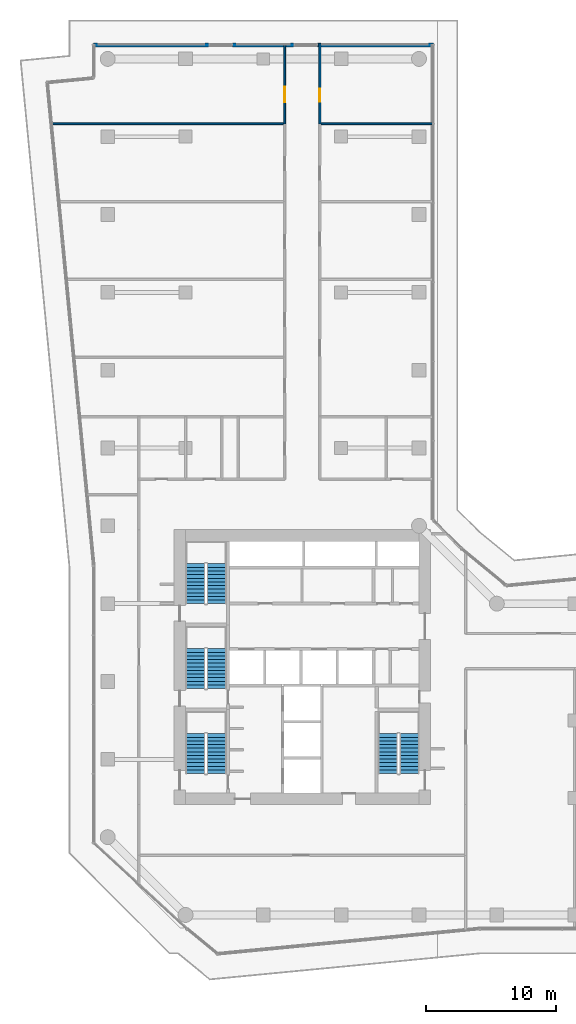
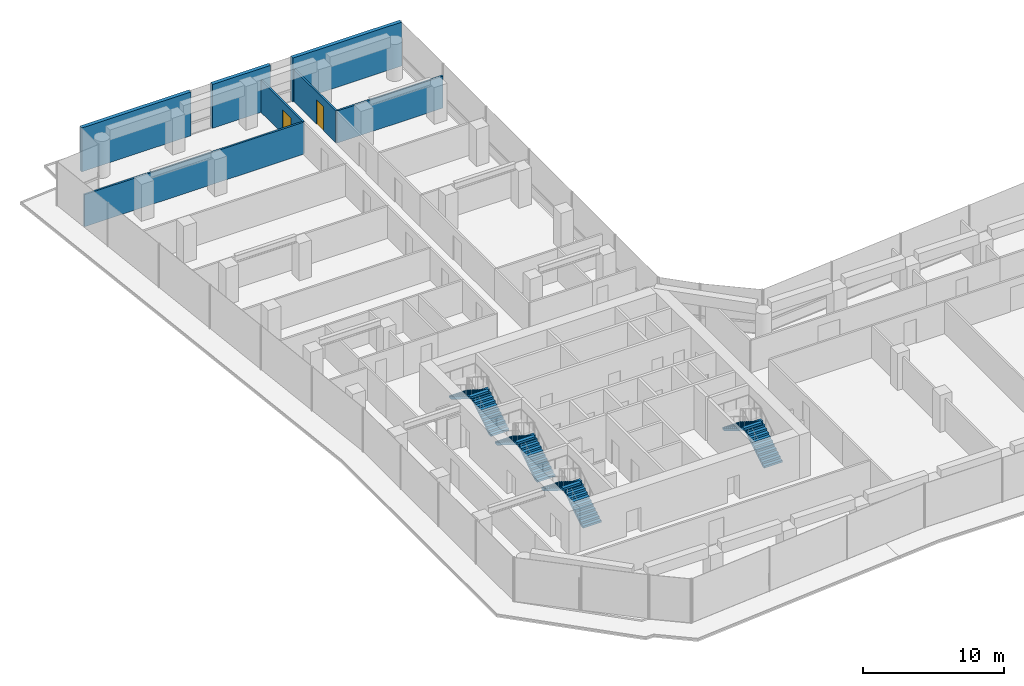
# One storey, part 28 of 30: 8 stair flights, 7 walls, 2 doors, 2 openings, 4 elements without a shape of their own.
"""IFC4 building model written with IfcOpenShell, lengths in metres."""

from ifc_helpers import new_model, si_unit, direction, frame, frame_2d, origin, place, context, subcontext, project, spatial, polyline, rectangle, outline, extrude, material, layer, layer_set, type_object, element, fill, aggregate, save


model = new_model("IFC4")

# Units and contexts
model_context = context("Model", 3, precision=1e-05, world=origin(), true_north=direction((0.0, 1.0)))
body_context = subcontext(model_context, "Body", "Model", "MODEL_VIEW")
ifc_project = project(units=[si_unit("LENGTHUNIT", "METRE"), si_unit("AREAUNIT", "SQUARE_METRE"), si_unit("VOLUMEUNIT", "CUBIC_METRE"), si_unit("PLANEANGLEUNIT", "RADIAN"), si_unit("MASSUNIT", "GRAM", prefix="KILO")], contexts=[model_context])

# Site, building, storey
site_placement = place(None, origin())
site = spatial("IfcSite", under=ifc_project, at=site_placement, CompositionType="ELEMENT")
building_placement = place(site_placement, origin())
building = spatial("IfcBuilding", under=site, at=building_placement, Name="Welwitschia Terrace Campus", CompositionType="ELEMENT")
storey_placement = place(building_placement, frame((0.0, 0.0, 75.199951171875)))
storey = spatial("IfcBuildingStorey", under=building, at=storey_placement, Name="L17", CompositionType="ELEMENT", Elevation=75.199951171875)

# Wall
ifc_material_1 = material(Name="Gypsum board on steel studs", Category="steel")
ifc_layer_1 = layer(ifc_material_1, 0.14990234375)
ifc_layer_set_1 = layer_set([ifc_layer_1], Name="Gypsum board on steel studs")
wall_type_1 = type_object("IfcWallType", Name="Corridor partition 150 EI 30", PredefinedType="PARTITIONING", material=ifc_layer_set_1)
wall_1_placement = place(storey_placement, frame((-4.35009765625, 57.0, 0.0), z_axis=(0.0, 0.0, 1.0), x_axis=(1.0, 0.0, 0.0)))
element("IfcWall", 1, at=wall_1_placement, inside=storey, type_object=wall_type_1, Name="Partition", PredefinedType="PARTITIONING", context=body_context, shape_type="SweptSolid", body=[
    extrude(rectangle(XDim=18.0, YDim=0.14990234375, at=frame_2d((9.0, 0.0))), origin(), (0.0, 0.0, 1.0), 2.780029296875),
])

# Wall, opening, door
wall_2_placement = place(storey_placement, frame((13.64990234375, 57.0, 0.0), z_axis=(0.0, 0.0, 1.0), x_axis=(0.0, 1.0, 0.0)))
wall_2 = element("IfcWall", 2, at=wall_2_placement, inside=storey, type_object=wall_type_1, Name="Partition", PredefinedType="PARTITIONING", context=body_context, shape_type="SweptSolid", body=[
    extrude(rectangle(XDim=6.174072265625, YDim=0.14990234375, at=frame_2d((3.0869140625, 0.0))), origin(), (0.0, 0.0, 1.0), 2.780029296875),
])
opening_1_placement = place(wall_2_placement, frame((1.659912109375, 0.0, 0.0)))
opening_1 = element("IfcOpeningElement", 3, at=opening_1_placement, cuts=wall_2, Name="Opening DI12", PredefinedType="OPENING", context=body_context, shape_type="SweptSolid", body=[
    extrude(rectangle(XDim=1.199951171875, YDim=2.10009765625, at=frame_2d((0.60009765625, 1.050048828125))), frame((0.0, 0.0849609375, 0.0), z_axis=(0.0, -1.0, 0.0), x_axis=(1.0, 0.0, 0.0)), (0.0, 0.0, 1.0), 0.169921875),
])
ifc_material_2 = material(Name="Timber veneered door", Category="wood")
door_type_1 = type_object("IfcDoorType", Name="Interior door DI12", OperationType="NOTDEFINED", PredefinedType="DOOR", material=ifc_material_2)
door_1_placement = place(opening_1_placement, origin())
door_1 = element("IfcDoor", 4, at=door_1_placement, inside=storey, type_object=door_type_1, Name="Door L17 392", OperationType="SINGLE_SWING_LEFT", OverallHeight=2.10009765625, OverallWidth=1.199951171875, PredefinedType="DOOR", context=body_context, shape_type="SweptSolid", body=[
    extrude(rectangle(XDim=1.199951171875, YDim=2.10009765625, at=frame_2d((0.60009765625, 1.050048828125))), frame((0.0, 0.02490234375, 0.0), z_axis=(0.0, -1.0, 0.0), x_axis=(1.0, 0.0, 0.0)), (0.0, 0.0, 1.0), 0.050048828125),
])
fill(opening_1, door_1)

# Wall
wall_3_placement = place(storey_placement, frame((16.35009765625, 57.0, 0.0), z_axis=(0.0, 0.0, 1.0), x_axis=(1.0, 0.0, 0.0)))
element("IfcWall", 5, at=wall_3_placement, inside=storey, type_object=wall_type_1, Name="Partition", PredefinedType="PARTITIONING", context=body_context, shape_type="SweptSolid", body=[
    extrude(rectangle(XDim=8.698974609375, YDim=0.14990234375, at=frame_2d((4.349609375, 0.0))), origin(), (0.0, 0.0, 1.0), 2.780029296875),
])

# Wall, opening, door
wall_4_placement = place(storey_placement, frame((16.35009765625, 63.174072265625, 0.0), z_axis=(0.0, 0.0, 1.0), x_axis=(0.0, -1.0, 0.0)))
wall_4 = element("IfcWall", 6, at=wall_4_placement, inside=storey, type_object=wall_type_1, Name="Partition", PredefinedType="PARTITIONING", context=body_context, shape_type="SweptSolid", body=[
    extrude(rectangle(XDim=6.174072265625, YDim=0.14990234375, at=frame_2d((3.0869140625, 0.0))), origin(), (0.0, 0.0, 1.0), 2.780029296875),
])
opening_2_placement = place(wall_4_placement, frame((3.47412109375, 0.0, 0.0)))
opening_2 = element("IfcOpeningElement", 7, at=opening_2_placement, cuts=wall_4, Name="Opening DI10", PredefinedType="OPENING", context=body_context, shape_type="SweptSolid", body=[
    extrude(rectangle(XDim=1.0, YDim=2.10009765625, at=frame_2d((0.5, 1.050048828125))), frame((0.0, 0.0849609375, 0.0), z_axis=(0.0, -1.0, 0.0), x_axis=(1.0, 0.0, 0.0)), (0.0, 0.0, 1.0), 0.169921875),
])
ifc_material_3 = material(Name="Timber veneered door", Category="wood")
door_type_2 = type_object("IfcDoorType", Name="Interior door DI10", OperationType="NOTDEFINED", PredefinedType="DOOR", material=ifc_material_3)
door_2_placement = place(opening_2_placement, origin())
door_2 = element("IfcDoor", 8, at=door_2_placement, inside=storey, type_object=door_type_2, Name="Door L17 396", OperationType="SINGLE_SWING_LEFT", OverallHeight=2.10009765625, OverallWidth=1.0, PredefinedType="DOOR", context=body_context, shape_type="SweptSolid", body=[
    extrude(rectangle(XDim=1.0, YDim=2.10009765625, at=frame_2d((0.5, 1.050048828125))), frame((0.0, 0.02490234375, 0.0), z_axis=(0.0, -1.0, 0.0), x_axis=(1.0, 0.0, 0.0)), (0.0, 0.0, 1.0), 0.050048828125),
])
fill(opening_2, door_2)

# Walls
ifc_material_4 = material(Name="Concrete C40/50", Category="concrete")
ifc_layer_2 = layer(ifc_material_4, 0.300048828125)
ifc_layer_set_2 = layer_set([ifc_layer_2], Name="Concrete C40/50")
wall_type_2 = type_object("IfcWallType", Name="Mass wall 300", PredefinedType="SOLIDWALL", material=ifc_layer_set_2)
wall_5_placement = place(storey_placement, frame((25.114013671875, 63.060546875, 0.0), z_axis=(0.0, 0.0, 1.0), x_axis=(-1.0, 0.0, 0.0)))
element("IfcWall", 9, at=wall_5_placement, inside=storey, type_object=wall_type_2, Name="Mass wall L17.13.0", PredefinedType="SOLIDWALL", context=body_context, shape_type="SweptSolid", body=[
    extrude(rectangle(XDim=8.935546875, YDim=0.300048828125, at=frame_2d((4.4677734375, 0.0))), origin(), (0.0, 0.0, 1.0), 3.800048828125),
])
wall_6_placement = place(storey_placement, frame((14.37841796875, 63.080078125, 0.0), z_axis=(0.0, 0.0, 1.0), x_axis=(-1.0, 0.0, 0.0)))
element("IfcWall", 10, at=wall_6_placement, inside=storey, type_object=wall_type_2, Name="Mass wall L17.13.1", PredefinedType="SOLIDWALL", context=body_context, shape_type="SweptSolid", body=[
    extrude(rectangle(XDim=4.7568359375, YDim=0.300048828125, at=frame_2d((2.37841796875, 0.0))), origin(), (0.0, 0.0, 1.0), 3.800048828125),
])
wall_7_placement = place(storey_placement, frame((7.821533203125, 63.060546875, 0.0), z_axis=(0.0, 0.0, 1.0), x_axis=(-1.0, 0.0, 0.0)))
element("IfcWall", 11, at=wall_7_placement, inside=storey, type_object=wall_type_2, Name="Mass wall L17.13.2", PredefinedType="SOLIDWALL", context=body_context, shape_type="SweptSolid", body=[
    extrude(rectangle(XDim=8.935546875, YDim=0.300048828125, at=frame_2d((4.4677734375, 0.0))), origin(), (0.0, 0.0, 1.0), 3.800048828125),
])

# Stair, stair flights
ifc_material_5 = material(Name="Concrete C40/50", Category="concrete")
stair_type = type_object("IfcStairType", Name="Stair 24R 175 W1500", PredefinedType="HALF_TURN_STAIR", material=ifc_material_5)
stair_1_placement = place(storey_placement, origin())
stair_1 = element("IfcStair", 12, at=stair_1_placement, inside=storey, type_object=stair_type, Name="L17 Exit stair S1", PredefinedType="HALF_TURN_STAIR")
ifc_material_6 = material(Name="Concrete C40/50", Category="concrete")
stair_flight_type = type_object("IfcStairFlightType", Name="Stair flight 24R 175 W1500", PredefinedType="STRAIGHT", material=ifc_material_6)
stair_flight_1_placement = place(storey_placement, frame((8.39990234375, 6.89990234375, 0.0), z_axis=(0.0, 0.0, 1.0), x_axis=(0.0, 1.0, 0.0)))
stair_flight_1 = element("IfcStairFlight", 13, at=stair_flight_1_placement, type_object=stair_flight_type, Name="S1 flight 1", NumberOfRisers=12, NumberOfTreads=11, PredefinedType="STRAIGHT", RiserHeight=0.175, TreadLength=0.28, context=body_context, shape_type="SweptSolid", body=[
    extrude(outline(polyline([(0.0, 0.0), (0.0, 0.175048828125), (0.280029296875, 0.175048828125), (0.280029296875, 0.35009765625), (0.56005859375, 0.35009765625), (0.56005859375, 0.52490234375), (0.840087890625, 0.52490234375), (0.840087890625, 0.699951171875), (1.1201171875, 0.699951171875), (1.1201171875, 0.875), (1.39990234375, 0.875), (1.39990234375, 1.050048828125), (1.679931640625, 1.050048828125), (1.679931640625, 1.22509765625), (1.9599609375, 1.22509765625), (1.9599609375, 1.39990234375), (2.239990234375, 1.39990234375), (2.239990234375, 1.574951171875), (2.52001953125, 1.574951171875), (2.52001953125, 1.75), (2.800048828125, 1.75), (2.800048828125, 1.925048828125), (3.080078125, 1.925048828125), (3.080078125, 2.10009765625), (3.080078125, 1.748291015625), (0.28271484375, 0.0), (0.0, 0.0)])), frame((0.0, 0.75, 0.0), z_axis=(0.0, -1.0, 0.0), x_axis=(1.0, 0.0, 0.0)), (0.0, 0.0, 1.0), 1.5),
])
stair_flight_2_placement = place(storey_placement, frame((6.75, 9.97998046875, 2.10009765625), z_axis=(0.0, 0.0, 1.0), x_axis=(0.0, -1.0, 0.0)))
stair_flight_2 = element("IfcStairFlight", 14, at=stair_flight_2_placement, type_object=stair_flight_type, Name="S1 flight 2", NumberOfRisers=12, NumberOfTreads=11, PredefinedType="STRAIGHT", RiserHeight=0.175, TreadLength=0.28, context=body_context, shape_type="SweptSolid", body=[
    extrude(outline(polyline([(0.0, 0.0), (0.0, 0.175048828125), (0.280029296875, 0.175048828125), (0.280029296875, 0.35009765625), (0.56005859375, 0.35009765625), (0.56005859375, 0.52490234375), (0.840087890625, 0.52490234375), (0.840087890625, 0.699951171875), (1.1201171875, 0.699951171875), (1.1201171875, 0.875), (1.39990234375, 0.875), (1.39990234375, 1.050048828125), (1.679931640625, 1.050048828125), (1.679931640625, 1.22509765625), (1.9599609375, 1.22509765625), (1.9599609375, 1.39990234375), (2.239990234375, 1.39990234375), (2.239990234375, 1.574951171875), (2.52001953125, 1.574951171875), (2.52001953125, 1.75), (2.800048828125, 1.75), (2.800048828125, 1.925048828125), (3.080078125, 1.925048828125), (3.080078125, 2.10009765625), (3.080078125, 1.748291015625), (0.28271484375, 0.0), (0.0, 0.0)])), frame((0.0, 0.75, 0.0), z_axis=(0.0, -1.0, 0.0), x_axis=(1.0, 0.0, 0.0)), (0.0, 0.0, 1.0), 1.5),
])
aggregate(stair_1, [stair_flight_1, stair_flight_2])

stair_2_placement = place(storey_placement, origin())
stair_2 = element("IfcStair", 15, at=stair_2_placement, inside=storey, type_object=stair_type, Name="L17 Exit stair S3", PredefinedType="HALF_TURN_STAIR")
stair_flight_3_placement = place(storey_placement, frame((8.39990234375, 13.449951171875, 0.0), z_axis=(0.0, 0.0, 1.0), x_axis=(0.0, 1.0, 0.0)))
stair_flight_3 = element("IfcStairFlight", 16, at=stair_flight_3_placement, type_object=stair_flight_type, Name="S3 flight 1", NumberOfRisers=12, NumberOfTreads=11, PredefinedType="STRAIGHT", RiserHeight=0.175, TreadLength=0.28, context=body_context, shape_type="SweptSolid", body=[
    extrude(outline(polyline([(0.0, 0.0), (0.0, 0.175048828125), (0.280029296875, 0.175048828125), (0.280029296875, 0.35009765625), (0.56005859375, 0.35009765625), (0.56005859375, 0.52490234375), (0.840087890625, 0.52490234375), (0.840087890625, 0.699951171875), (1.1201171875, 0.699951171875), (1.1201171875, 0.875), (1.39990234375, 0.875), (1.39990234375, 1.050048828125), (1.679931640625, 1.050048828125), (1.679931640625, 1.22509765625), (1.9599609375, 1.22509765625), (1.9599609375, 1.39990234375), (2.239990234375, 1.39990234375), (2.239990234375, 1.574951171875), (2.52001953125, 1.574951171875), (2.52001953125, 1.75), (2.800048828125, 1.75), (2.800048828125, 1.925048828125), (3.080078125, 1.925048828125), (3.080078125, 2.10009765625), (3.080078125, 1.748291015625), (0.28271484375, 0.0), (0.0, 0.0)])), frame((0.0, 0.75, 0.0), z_axis=(0.0, -1.0, 0.0), x_axis=(1.0, 0.0, 0.0)), (0.0, 0.0, 1.0), 1.5),
])
stair_flight_4_placement = place(storey_placement, frame((6.75, 16.530029296875, 2.10009765625), z_axis=(0.0, 0.0, 1.0), x_axis=(0.0, -1.0, 0.0)))
stair_flight_4 = element("IfcStairFlight", 17, at=stair_flight_4_placement, type_object=stair_flight_type, Name="S3 flight 2", NumberOfRisers=12, NumberOfTreads=11, PredefinedType="STRAIGHT", RiserHeight=0.175, TreadLength=0.28, context=body_context, shape_type="SweptSolid", body=[
    extrude(outline(polyline([(0.0, 0.0), (0.0, 0.175048828125), (0.280029296875, 0.175048828125), (0.280029296875, 0.35009765625), (0.56005859375, 0.35009765625), (0.56005859375, 0.52490234375), (0.840087890625, 0.52490234375), (0.840087890625, 0.699951171875), (1.1201171875, 0.699951171875), (1.1201171875, 0.875), (1.39990234375, 0.875), (1.39990234375, 1.050048828125), (1.679931640625, 1.050048828125), (1.679931640625, 1.22509765625), (1.9599609375, 1.22509765625), (1.9599609375, 1.39990234375), (2.239990234375, 1.39990234375), (2.239990234375, 1.574951171875), (2.52001953125, 1.574951171875), (2.52001953125, 1.75), (2.800048828125, 1.75), (2.800048828125, 1.925048828125), (3.080078125, 1.925048828125), (3.080078125, 2.10009765625), (3.080078125, 1.748291015625), (0.28271484375, 0.0), (0.0, 0.0)])), frame((0.0, 0.75, 0.0), z_axis=(0.0, -1.0, 0.0), x_axis=(1.0, 0.0, 0.0)), (0.0, 0.0, 1.0), 1.5),
])
aggregate(stair_2, [stair_flight_3, stair_flight_4])

stair_3_placement = place(storey_placement, origin())
stair_3 = element("IfcStair", 18, at=stair_3_placement, inside=storey, type_object=stair_type, Name="L17 Exit stair S4", PredefinedType="HALF_TURN_STAIR")
stair_flight_5_placement = place(storey_placement, frame((8.39990234375, 20.0, 0.0), z_axis=(0.0, 0.0, 1.0), x_axis=(0.0, 1.0, 0.0)))
stair_flight_5 = element("IfcStairFlight", 19, at=stair_flight_5_placement, type_object=stair_flight_type, Name="S4 flight 1", NumberOfRisers=12, NumberOfTreads=11, PredefinedType="STRAIGHT", RiserHeight=0.175, TreadLength=0.28, context=body_context, shape_type="SweptSolid", body=[
    extrude(outline(polyline([(0.0, 0.0), (0.0, 0.175048828125), (0.280029296875, 0.175048828125), (0.280029296875, 0.35009765625), (0.56005859375, 0.35009765625), (0.56005859375, 0.52490234375), (0.840087890625, 0.52490234375), (0.840087890625, 0.699951171875), (1.1201171875, 0.699951171875), (1.1201171875, 0.875), (1.39990234375, 0.875), (1.39990234375, 1.050048828125), (1.679931640625, 1.050048828125), (1.679931640625, 1.22509765625), (1.9599609375, 1.22509765625), (1.9599609375, 1.39990234375), (2.239990234375, 1.39990234375), (2.239990234375, 1.574951171875), (2.52001953125, 1.574951171875), (2.52001953125, 1.75), (2.800048828125, 1.75), (2.800048828125, 1.925048828125), (3.080078125, 1.925048828125), (3.080078125, 2.10009765625), (3.080078125, 1.748291015625), (0.28271484375, 0.0), (0.0, 0.0)])), frame((0.0, 0.75, 0.0), z_axis=(0.0, -1.0, 0.0), x_axis=(1.0, 0.0, 0.0)), (0.0, 0.0, 1.0), 1.5),
])
stair_flight_6_placement = place(storey_placement, frame((6.75, 23.080078125, 2.10009765625), z_axis=(0.0, 0.0, 1.0), x_axis=(0.0, -1.0, 0.0)))
stair_flight_6 = element("IfcStairFlight", 20, at=stair_flight_6_placement, type_object=stair_flight_type, Name="S4 flight 2", NumberOfRisers=12, NumberOfTreads=11, PredefinedType="STRAIGHT", RiserHeight=0.175, TreadLength=0.28, context=body_context, shape_type="SweptSolid", body=[
    extrude(outline(polyline([(0.0, 0.0), (0.0, 0.175048828125), (0.280029296875, 0.175048828125), (0.280029296875, 0.35009765625), (0.56005859375, 0.35009765625), (0.56005859375, 0.52490234375), (0.840087890625, 0.52490234375), (0.840087890625, 0.699951171875), (1.1201171875, 0.699951171875), (1.1201171875, 0.875), (1.39990234375, 0.875), (1.39990234375, 1.050048828125), (1.679931640625, 1.050048828125), (1.679931640625, 1.22509765625), (1.9599609375, 1.22509765625), (1.9599609375, 1.39990234375), (2.239990234375, 1.39990234375), (2.239990234375, 1.574951171875), (2.52001953125, 1.574951171875), (2.52001953125, 1.75), (2.800048828125, 1.75), (2.800048828125, 1.925048828125), (3.080078125, 1.925048828125), (3.080078125, 2.10009765625), (3.080078125, 1.748291015625), (0.28271484375, 0.0), (0.0, 0.0)])), frame((0.0, 0.75, 0.0), z_axis=(0.0, -1.0, 0.0), x_axis=(1.0, 0.0, 0.0)), (0.0, 0.0, 1.0), 1.5),
])
aggregate(stair_3, [stair_flight_5, stair_flight_6])

stair_4_placement = place(storey_placement, origin())
stair_4 = element("IfcStair", 21, at=stair_4_placement, inside=storey, type_object=stair_type, Name="L17 Exit stair S2", PredefinedType="HALF_TURN_STAIR")
stair_flight_7_placement = place(storey_placement, frame((23.25, 6.89990234375, 0.0), z_axis=(0.0, 0.0, 1.0), x_axis=(0.0, 1.0, 0.0)))
stair_flight_7 = element("IfcStairFlight", 22, at=stair_flight_7_placement, type_object=stair_flight_type, Name="S2 flight 1", NumberOfRisers=12, NumberOfTreads=11, PredefinedType="STRAIGHT", RiserHeight=0.175, TreadLength=0.28, context=body_context, shape_type="SweptSolid", body=[
    extrude(outline(polyline([(0.0, 0.0), (0.0, 0.175048828125), (0.280029296875, 0.175048828125), (0.280029296875, 0.35009765625), (0.56005859375, 0.35009765625), (0.56005859375, 0.52490234375), (0.840087890625, 0.52490234375), (0.840087890625, 0.699951171875), (1.1201171875, 0.699951171875), (1.1201171875, 0.875), (1.39990234375, 0.875), (1.39990234375, 1.050048828125), (1.679931640625, 1.050048828125), (1.679931640625, 1.22509765625), (1.9599609375, 1.22509765625), (1.9599609375, 1.39990234375), (2.239990234375, 1.39990234375), (2.239990234375, 1.574951171875), (2.52001953125, 1.574951171875), (2.52001953125, 1.75), (2.800048828125, 1.75), (2.800048828125, 1.925048828125), (3.080078125, 1.925048828125), (3.080078125, 2.10009765625), (3.080078125, 1.748291015625), (0.28271484375, 0.0), (0.0, 0.0)])), frame((0.0, 0.75, 0.0), z_axis=(0.0, -1.0, 0.0), x_axis=(1.0, 0.0, 0.0)), (0.0, 0.0, 1.0), 1.5),
])
stair_flight_8_placement = place(storey_placement, frame((21.60009765625, 9.97998046875, 2.10009765625), z_axis=(0.0, 0.0, 1.0), x_axis=(0.0, -1.0, 0.0)))
stair_flight_8 = element("IfcStairFlight", 23, at=stair_flight_8_placement, type_object=stair_flight_type, Name="S2 flight 2", NumberOfRisers=12, NumberOfTreads=11, PredefinedType="STRAIGHT", RiserHeight=0.175, TreadLength=0.28, context=body_context, shape_type="SweptSolid", body=[
    extrude(outline(polyline([(0.0, 0.0), (0.0, 0.175048828125), (0.280029296875, 0.175048828125), (0.280029296875, 0.35009765625), (0.56005859375, 0.35009765625), (0.56005859375, 0.52490234375), (0.840087890625, 0.52490234375), (0.840087890625, 0.699951171875), (1.1201171875, 0.699951171875), (1.1201171875, 0.875), (1.39990234375, 0.875), (1.39990234375, 1.050048828125), (1.679931640625, 1.050048828125), (1.679931640625, 1.22509765625), (1.9599609375, 1.22509765625), (1.9599609375, 1.39990234375), (2.239990234375, 1.39990234375), (2.239990234375, 1.574951171875), (2.52001953125, 1.574951171875), (2.52001953125, 1.75), (2.800048828125, 1.75), (2.800048828125, 1.925048828125), (3.080078125, 1.925048828125), (3.080078125, 2.10009765625), (3.080078125, 1.748291015625), (0.28271484375, 0.0), (0.0, 0.0)])), frame((0.0, 0.75, 0.0), z_axis=(0.0, -1.0, 0.0), x_axis=(1.0, 0.0, 0.0)), (0.0, 0.0, 1.0), 1.5),
])
aggregate(stair_4, [stair_flight_7, stair_flight_8])

save(model, "model.ifc")
